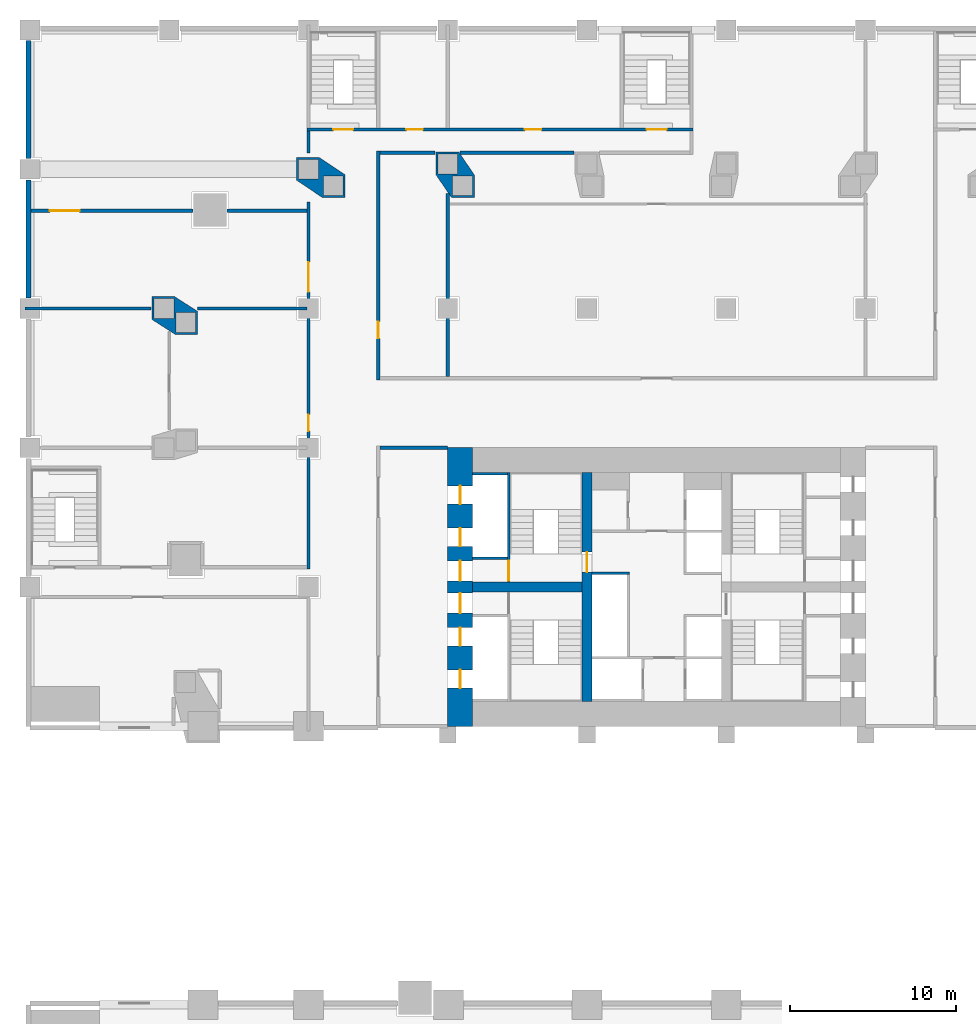
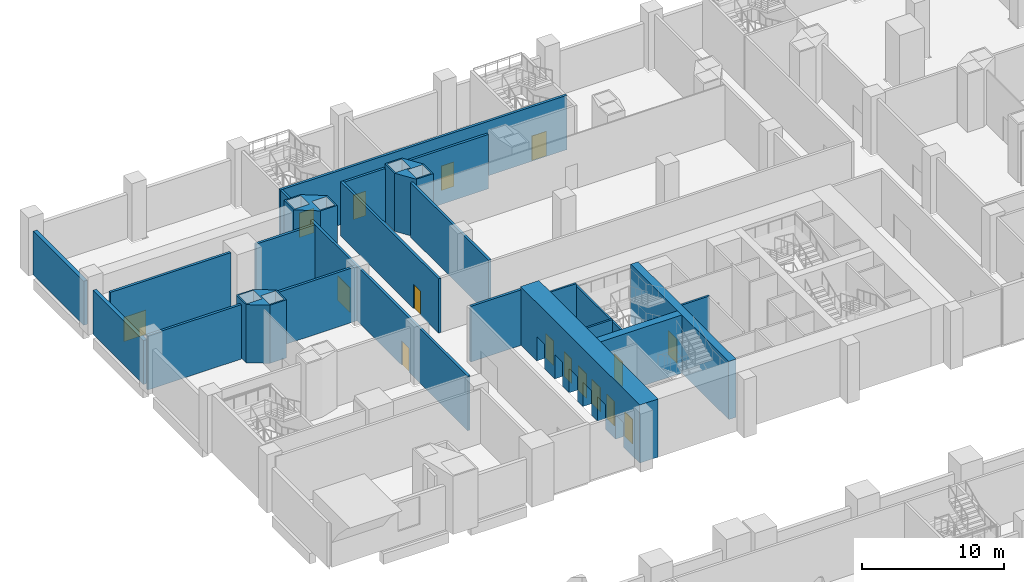
# One storey, part 6 of 16: 24 walls, 16 doors, 16 openings.
"""IFC4 building model written with IfcOpenShell, lengths in metres."""

from ifc_helpers import new_model, si_unit, direction, frame, frame_2d, origin, place, context, subcontext, project, spatial, polyline, rectangle, outline, extrude, material, layer, layer_set, type_object, element, fill, save


model = new_model("IFC4")

# Units and contexts
model_context = context("Model", 3, precision=1e-05, world=origin(), true_north=direction((0.0, 1.0)))
body_context = subcontext(model_context, "Body", "Model", "MODEL_VIEW")
ifc_project = project(units=[si_unit("LENGTHUNIT", "METRE"), si_unit("AREAUNIT", "SQUARE_METRE"), si_unit("VOLUMEUNIT", "CUBIC_METRE"), si_unit("PLANEANGLEUNIT", "RADIAN"), si_unit("MASSUNIT", "GRAM", prefix="KILO")], contexts=[model_context])

# Site, building, storey
site_placement = place(None, origin())
site = spatial("IfcSite", under=ifc_project, at=site_placement, CompositionType="ELEMENT")
building_placement = place(site_placement, origin())
building = spatial("IfcBuilding", under=site, at=building_placement, Name="Marenta Gate Hotel Tower", CompositionType="ELEMENT")
storey_placement = place(building_placement, frame((0.0, 0.0, 21.0)))
storey = spatial("IfcBuildingStorey", under=building, at=storey_placement, Name="L03", CompositionType="ELEMENT", Elevation=21.0)

# Walls
ifc_material_1 = material(Name="Concrete C40 board-marked", Category="concrete")
ifc_layer_1 = layer(ifc_material_1, 0.300048828125)
ifc_layer_set_1 = layer_set([ifc_layer_1], Name="Concrete C40 board-marked")
wall_type_1 = type_object("IfcWallType", Name="Board-marked concrete wall 300 mm", PredefinedType="NOTDEFINED", material=ifc_layer_set_1)
wall_1_placement = place(storey_placement, frame((-37.889892578125, 41.360107421875, 0.0), z_axis=(0.0, 0.0, 1.0), x_axis=(0.0, -1.0, 0.0)))
element("IfcWall", 1, at=wall_1_placement, inside=storey, type_object=wall_type_1, Name="L03-CLD-NB-W000", PredefinedType="NOTDEFINED", context=body_context, shape_type="SweptSolid", body=[
    extrude(rectangle(XDim=7.1201171875, YDim=0.300048828125, at=frame_2d((3.56005859375, 0.0))), origin(), (0.0, 0.0, 1.0), 3.780029296875),
])
wall_2_placement = place(storey_placement, frame((-37.889892578125, 32.9599609375, 0.0), z_axis=(0.0, 0.0, 1.0), x_axis=(0.0, -1.0, 0.0)))
element("IfcWall", 2, at=wall_2_placement, inside=storey, type_object=wall_type_1, Name="L03-CLD-NB-W001", PredefinedType="NOTDEFINED", context=body_context, shape_type="SweptSolid", body=[
    extrude(rectangle(XDim=7.119873046875, YDim=0.300048828125, at=frame_2d((3.56005859375, 0.0))), origin(), (0.0, 0.0, 1.0), 3.780029296875),
])
ifc_material_2 = material(Name="Concrete blockwork", Category="masonry")
ifc_layer_2 = layer(ifc_material_2, 0.199951171875)
ifc_layer_set_2 = layer_set([ifc_layer_2], Name="Concrete blockwork")
wall_type_2 = type_object("IfcWallType", Name="Core boundary wall 200 REI 180", PredefinedType="PARTITIONING", material=ifc_layer_set_2)
wall_3_placement = place(storey_placement, frame((-16.699951171875, 16.800048828125, 0.0), z_axis=(0.0, 0.0, 1.0), x_axis=(1.0, 0.0, 0.0)))
element("IfcWall", 3, at=wall_3_placement, inside=storey, type_object=wall_type_2, Name="L03-CP-EW-WN", PredefinedType="PARTITIONING", context=body_context, shape_type="SweptSolid", body=[
    extrude(rectangle(XDim=4.099853515625, YDim=0.199951171875, at=frame_2d((2.0498046875, 0.0))), origin(), (0.0, 0.0, 1.0), 4.780029296875),
])
ifc_material_3 = material(Name="Concrete C40", Category="concrete")
ifc_layer_3 = layer(ifc_material_3, 0.14990234375)
ifc_layer_set_3 = layer_set([ifc_layer_3], Name="Concrete C40")
wall_type_3 = type_object("IfcWallType", Name="Core shaft wall 150 REI 180", PredefinedType="SHEAR", material=ifc_layer_set_3)
for number, where, z_axis, x_axis, name in (
    (4, (-11.10009765625, 10.125, 0.0), (0.0, 0.0, 1.0), (1.0, 0.0, 0.0), "L03-SHF-SW-WN-2"),
    (5, (-11.10009765625, 15.22509765625, 0.0), (0.0, 0.0, 1.0), (1.0, 0.0, 0.0), "L03-SHF-SW-WN-5"),
):
    element("IfcWall", number, at=place(storey_placement, frame(where, z_axis=z_axis, x_axis=x_axis)), inside=storey, type_object=wall_type_3, Name=name, PredefinedType="SHEAR", context=body_context, shape_type="SweptSolid", body=[
        extrude(rectangle(XDim=2.10009765625, YDim=0.14990234375, at=frame_2d((1.050048828125, 0.0))), origin(), (0.0, 0.0, 1.0), 5.0),
    ])
wall_4_placement = place(storey_placement, frame((-3.89990234375, 9.22509765625, 0.0), z_axis=(0.0, 0.0, 1.0), x_axis=(1.0, 0.0, 0.0)))
element("IfcWall", 6, at=wall_4_placement, inside=storey, type_object=wall_type_3, Name="L03-SHF-CW-W-sep", PredefinedType="SHEAR", context=body_context, shape_type="SweptSolid", body=[
    extrude(rectangle(XDim=2.25, YDim=0.14990234375, at=frame_2d((1.125, 0.0))), origin(), (0.0, 0.0, 1.0), 5.0),
])

# Wall, opening, door
ifc_material_4 = material(Name="Concrete C40", Category="concrete")
ifc_layer_4 = layer(ifc_material_4, 0.14990234375)
ifc_layer_set_4 = layer_set([ifc_layer_4], Name="Concrete C40")
wall_type_4 = type_object("IfcWallType", Name="Core stair enclosure wall 150 REI 180", PredefinedType="SHEAR", material=ifc_layer_set_4)
wall_5_placement = place(storey_placement, frame((-8.925048828125, 8.699951171875, 0.0), z_axis=(0.0, 0.0, 1.0), x_axis=(0.0, 1.0, 0.0)))
wall_5 = element("IfcWall", 7, at=wall_5_placement, inside=storey, type_object=wall_type_4, Name="L03-SHF-SW-WN-3", PredefinedType="SHEAR", context=body_context, shape_type="SweptSolid", body=[
    extrude(rectangle(XDim=6.60009765625, YDim=0.14990234375, at=frame_2d((3.300048828125, 0.0))), origin(), (0.0, 0.0, 1.0), 4.780029296875),
])
opening_1_placement = place(wall_5_placement, frame((0.074951171875, 0.0, 0.0)))
opening_1 = element("IfcOpeningElement", 8, at=opening_1_placement, cuts=wall_5, Name="Opening SD-WN", PredefinedType="OPENING", context=body_context, shape_type="SweptSolid", body=[
    extrude(rectangle(XDim=1.199951171875, YDim=2.10009765625, at=frame_2d((0.60009765625, 1.050048828125))), frame((0.0, 0.074951171875, 0.0), z_axis=(0.0, -1.0, 0.0), x_axis=(1.0, 0.0, 0.0)), (0.0, 0.0, 1.0), 0.14990234375),
])
ifc_material_5 = material(Name="Steel", Category="steel")
door_type_1 = type_object("IfcDoorType", Name="Core stair door 1200x2100 FD60", OperationType="SINGLE_SWING_LEFT", PredefinedType="DOOR", material=ifc_material_5)
door_1_placement = place(opening_1_placement, origin())
door_1 = element("IfcDoor", 9, at=door_1_placement, inside=storey, type_object=door_type_1, Name="SD-WN", OperationType="SINGLE_SWING_LEFT", OverallHeight=2.10009765625, OverallWidth=1.199951171875, PredefinedType="DOOR", context=body_context, shape_type="SweptSolid", body=[
    extrude(rectangle(XDim=1.199951171875, YDim=2.10009765625, at=frame_2d((0.60009765625, 1.050048828125))), frame((0.0, 0.02490234375, 0.0), z_axis=(0.0, -1.0, 0.0), x_axis=(1.0, 0.0, 0.0)), (0.0, 0.0, 1.0), 0.050048828125),
])
fill(opening_1, door_1)

# Wall, openings, doors
ifc_material_6 = material(Name="Concrete C80", Category="concrete")
ifc_layer_5 = layer(ifc_material_6, 1.5)
ifc_layer_set_5 = layer_set([ifc_layer_5], Name="Concrete C80")
wall_type_5 = type_object("IfcWallType", Name="Core wall 1500 C80", PredefinedType="SHEAR", material=ifc_layer_set_5)
wall_6_placement = place(storey_placement, frame((-11.85009765625, 0.0, 0.0), z_axis=(0.0, 0.0, 1.0), x_axis=(0.0, 1.0, 0.0)))
wall_6 = element("IfcWall", 10, at=wall_6_placement, inside=storey, type_object=wall_type_5, Name="L03-CORE-W", PredefinedType="SHEAR", context=body_context, shape_type="SweptSolid", body=[
    extrude(rectangle(XDim=16.800048828125, YDim=1.5, at=frame_2d((8.39990234375, 0.0))), origin(), (0.0, 0.0, 1.0), 5.0),
])
opening_2_placement = place(wall_6_placement, frame((2.300048828125, 0.0, 0.0)))
opening_2 = element("IfcOpeningElement", 11, at=opening_2_placement, cuts=wall_6, Name="Opening LD-LR1", PredefinedType="OPENING", context=body_context, shape_type="SweptSolid", body=[
    extrude(rectangle(XDim=1.10009765625, YDim=2.10009765625, at=frame_2d((0.550048828125, 1.050048828125))), frame((0.0, 0.75, 0.0), z_axis=(0.0, -1.0, 0.0), x_axis=(1.0, 0.0, 0.0)), (0.0, 0.0, 1.0), 1.5),
])
opening_3_placement = place(wall_6_placement, frame((4.85009765625, 0.0, 0.0)))
opening_3 = element("IfcOpeningElement", 12, at=opening_3_placement, cuts=wall_6, Name="Opening LD-LR2", PredefinedType="OPENING", context=body_context, shape_type="SweptSolid", body=[
    extrude(rectangle(XDim=1.10009765625, YDim=2.10009765625, at=frame_2d((0.550048828125, 1.050048828125))), frame((0.0, 0.75, 0.0), z_axis=(0.0, -1.0, 0.0), x_axis=(1.0, 0.0, 0.0)), (0.0, 0.0, 1.0), 1.5),
])
opening_4_placement = place(wall_6_placement, frame((6.824951171875, 0.0, 0.0)))
opening_4 = element("IfcOpeningElement", 13, at=opening_4_placement, cuts=wall_6, Name="Opening PD-WS", PredefinedType="OPENING", context=body_context, shape_type="SweptSolid", body=[
    extrude(rectangle(XDim=1.199951171875, YDim=2.10009765625, at=frame_2d((0.60009765625, 1.050048828125))), frame((0.0, 0.75, 0.0), z_axis=(0.0, -1.0, 0.0), x_axis=(1.0, 0.0, 0.0)), (0.0, 0.0, 1.0), 1.5),
])
opening_5_placement = place(wall_6_placement, frame((13.39990234375, 0.0, 0.0)))
opening_5 = element("IfcOpeningElement", 14, at=opening_5_placement, cuts=wall_6, Name="Opening LD-LR4", PredefinedType="OPENING", context=body_context, shape_type="SweptSolid", body=[
    extrude(rectangle(XDim=1.10009765625, YDim=2.10009765625, at=frame_2d((0.550048828125, 1.050048828125))), frame((0.0, 0.75, 0.0), z_axis=(0.0, -1.0, 0.0), x_axis=(1.0, 0.0, 0.0)), (0.0, 0.0, 1.0), 1.5),
])
opening_6_placement = place(wall_6_placement, frame((10.85009765625, 0.0, 0.0)))
opening_6 = element("IfcOpeningElement", 15, at=opening_6_placement, cuts=wall_6, Name="Opening LD-LR3", PredefinedType="OPENING", context=body_context, shape_type="SweptSolid", body=[
    extrude(rectangle(XDim=1.10009765625, YDim=2.10009765625, at=frame_2d((0.550048828125, 1.050048828125))), frame((0.0, 0.75, 0.0), z_axis=(0.0, -1.0, 0.0), x_axis=(1.0, 0.0, 0.0)), (0.0, 0.0, 1.0), 1.5),
])
opening_7_placement = place(wall_6_placement, frame((8.77490234375, 0.0, 0.0)))
opening_7 = element("IfcOpeningElement", 16, at=opening_7_placement, cuts=wall_6, Name="Opening PD-WN", PredefinedType="OPENING", context=body_context, shape_type="SweptSolid", body=[
    extrude(rectangle(XDim=1.199951171875, YDim=2.10009765625, at=frame_2d((0.60009765625, 1.050048828125))), frame((0.0, 0.75, 0.0), z_axis=(0.0, -1.0, 0.0), x_axis=(1.0, 0.0, 0.0)), (0.0, 0.0, 1.0), 1.5),
])
ifc_material_7 = material(Name="Steel", Category="steel")
door_type_2 = type_object("IfcDoorType", Name="Core lift landing door 1100x2100 E 60", OperationType="SLIDING_TO_LEFT", PredefinedType="DOOR", material=ifc_material_7)
door_2_placement = place(opening_2_placement, origin())
door_2 = element("IfcDoor", 17, at=door_2_placement, inside=storey, type_object=door_type_2, Name="LD-LR1", OperationType="SLIDING_TO_LEFT", OverallHeight=2.10009765625, OverallWidth=1.10009765625, PredefinedType="DOOR", context=body_context, shape_type="SweptSolid", body=[
    extrude(rectangle(XDim=1.10009765625, YDim=2.10009765625, at=frame_2d((0.550048828125, 1.050048828125))), frame((0.0, 0.02490234375, 0.0), z_axis=(0.0, -1.0, 0.0), x_axis=(1.0, 0.0, 0.0)), (0.0, 0.0, 1.0), 0.050048828125),
])
fill(opening_2, door_2)
door_3_placement = place(opening_3_placement, origin())
door_3 = element("IfcDoor", 18, at=door_3_placement, inside=storey, type_object=door_type_2, Name="LD-LR2", OperationType="SLIDING_TO_LEFT", OverallHeight=2.10009765625, OverallWidth=1.10009765625, PredefinedType="DOOR", context=body_context, shape_type="SweptSolid", body=[
    extrude(rectangle(XDim=1.10009765625, YDim=2.10009765625, at=frame_2d((0.550048828125, 1.050048828125))), frame((0.0, 0.02490234375, 0.0), z_axis=(0.0, -1.0, 0.0), x_axis=(1.0, 0.0, 0.0)), (0.0, 0.0, 1.0), 0.050048828125),
])
fill(opening_3, door_3)
door_4_placement = place(opening_5_placement, origin())
door_4 = element("IfcDoor", 19, at=door_4_placement, inside=storey, type_object=door_type_2, Name="LD-LR4", OperationType="SLIDING_TO_LEFT", OverallHeight=2.10009765625, OverallWidth=1.10009765625, PredefinedType="DOOR", context=body_context, shape_type="SweptSolid", body=[
    extrude(rectangle(XDim=1.10009765625, YDim=2.10009765625, at=frame_2d((0.550048828125, 1.050048828125))), frame((0.0, 0.02490234375, 0.0), z_axis=(0.0, -1.0, 0.0), x_axis=(1.0, 0.0, 0.0)), (0.0, 0.0, 1.0), 0.050048828125),
])
fill(opening_5, door_4)
door_5_placement = place(opening_6_placement, origin())
door_5 = element("IfcDoor", 20, at=door_5_placement, inside=storey, type_object=door_type_2, Name="LD-LR3", OperationType="SLIDING_TO_LEFT", OverallHeight=2.10009765625, OverallWidth=1.10009765625, PredefinedType="DOOR", context=body_context, shape_type="SweptSolid", body=[
    extrude(rectangle(XDim=1.10009765625, YDim=2.10009765625, at=frame_2d((0.550048828125, 1.050048828125))), frame((0.0, 0.02490234375, 0.0), z_axis=(0.0, -1.0, 0.0), x_axis=(1.0, 0.0, 0.0)), (0.0, 0.0, 1.0), 0.050048828125),
])
fill(opening_6, door_5)
ifc_material_8 = material(Name="Steel", Category="steel")
door_type_3 = type_object("IfcDoorType", Name="Core lobby door 1200x2100 FD60", OperationType="SINGLE_SWING_LEFT", PredefinedType="DOOR", material=ifc_material_8)
door_6_placement = place(opening_4_placement, origin())
door_6 = element("IfcDoor", 21, at=door_6_placement, inside=storey, type_object=door_type_3, Name="PD-WS", OperationType="SINGLE_SWING_LEFT", OverallHeight=2.10009765625, OverallWidth=1.199951171875, PredefinedType="DOOR", context=body_context, shape_type="SweptSolid", body=[
    extrude(rectangle(XDim=1.199951171875, YDim=2.10009765625, at=frame_2d((0.60009765625, 1.050048828125))), frame((0.0, 0.02490234375, 0.0), z_axis=(0.0, -1.0, 0.0), x_axis=(1.0, 0.0, 0.0)), (0.0, 0.0, 1.0), 0.050048828125),
])
fill(opening_4, door_6)
door_7_placement = place(opening_7_placement, origin())
door_7 = element("IfcDoor", 22, at=door_7_placement, inside=storey, type_object=door_type_3, Name="PD-WN", OperationType="SINGLE_SWING_LEFT", OverallHeight=2.10009765625, OverallWidth=1.199951171875, PredefinedType="DOOR", context=body_context, shape_type="SweptSolid", body=[
    extrude(rectangle(XDim=1.199951171875, YDim=2.10009765625, at=frame_2d((0.60009765625, 1.050048828125))), frame((0.0, 0.02490234375, 0.0), z_axis=(0.0, -1.0, 0.0), x_axis=(1.0, 0.0, 0.0)), (0.0, 0.0, 1.0), 0.050048828125),
])
fill(opening_7, door_7)

# Wall, opening, door
ifc_material_9 = material(Name="Concrete C80", Category="concrete")
ifc_layer_6 = layer(ifc_material_9, 0.60009765625)
ifc_layer_set_6 = layer_set([ifc_layer_6], Name="Concrete C80")
wall_type_6 = type_object("IfcWallType", Name="Core web 600 C80", PredefinedType="SHEAR", material=ifc_layer_set_6)
wall_7_placement = place(storey_placement, frame((-4.199951171875, 1.5, 0.0), z_axis=(0.0, 0.0, 1.0), x_axis=(0.0, 1.0, 0.0)))
wall_7 = element("IfcWall", 23, at=wall_7_placement, inside=storey, type_object=wall_type_6, Name="L03-CORE-W1", PredefinedType="SHEAR", context=body_context, shape_type="SweptSolid", body=[
    extrude(rectangle(XDim=13.800048828125, YDim=0.60009765625, at=frame_2d((6.89990234375, 0.0))), origin(), (0.0, 0.0, 1.0), 5.0),
])
opening_8_placement = place(wall_7_placement, frame((7.800048828125, 0.0, 0.0)))
opening_8 = element("IfcOpeningElement", 24, at=opening_8_placement, cuts=wall_7, Name="Opening WD-W", PredefinedType="OPENING", context=body_context, shape_type="SweptSolid", body=[
    extrude(rectangle(XDim=1.199951171875, YDim=2.10009765625, at=frame_2d((0.60009765625, 1.050048828125))), frame((0.0, 0.300048828125, 0.0), z_axis=(0.0, -1.0, 0.0), x_axis=(1.0, 0.0, 0.0)), (0.0, 0.0, 1.0), 0.60009765625),
])
door_8_placement = place(opening_8_placement, origin())
door_8 = element("IfcDoor", 25, at=door_8_placement, inside=storey, type_object=door_type_1, Name="WD-W", OperationType="SINGLE_SWING_LEFT", OverallHeight=2.10009765625, OverallWidth=1.199951171875, PredefinedType="DOOR", context=body_context, shape_type="SweptSolid", body=[
    extrude(rectangle(XDim=1.199951171875, YDim=2.10009765625, at=frame_2d((0.60009765625, 1.050048828125))), frame((0.0, 0.02490234375, 0.0), z_axis=(0.0, -1.0, 0.0), x_axis=(1.0, 0.0, 0.0)), (0.0, 0.0, 1.0), 0.050048828125),
])
fill(opening_8, door_8)

# Walls
wall_8_placement = place(storey_placement, frame((-11.10009765625, 8.39990234375, 0.0), z_axis=(0.0, 0.0, 1.0), x_axis=(1.0, 0.0, 0.0)))
element("IfcWall", 26, at=wall_8_placement, inside=storey, type_object=wall_type_6, Name="L03-CORE-W3", PredefinedType="SHEAR", context=body_context, shape_type="SweptSolid", body=[
    extrude(rectangle(XDim=6.60009765625, YDim=0.60009765625, at=frame_2d((3.300048828125, 0.0))), origin(), (0.0, 0.0, 1.0), 5.0),
])
ifc_material_10 = material(Name="Concrete C70", Category="concrete")
ifc_layer_7 = layer(ifc_material_10, 1.60009765625)
ifc_layer_set_7 = layer_set([ifc_layer_7], Name="Concrete C70")
wall_type_7 = type_object("IfcWallType", Name="Pier wall board-marked concrete C70", PredefinedType="SOLIDWALL", material=ifc_layer_set_7)
wall_9_placement = place(storey_placement, origin())
element("IfcWall", 27, at=wall_9_placement, inside=storey, type_object=wall_type_7, Name="L03-PIER-3", PredefinedType="SOLIDWALL", context=body_context, shape_type="SweptSolid", body=[
    extrude(outline(polyline([(-30.43994140625, 24.5341796875), (-30.43994140625, 25.919921875), (-29.0849609375, 25.919921875), (-27.679931640625, 25.022216796875), (-27.679931640625, 23.636474609375), (-29.03515625, 23.636474609375), (-30.43994140625, 24.5341796875)]), holes=[polyline([(-29.0, 23.75634765625), (-27.800048828125, 23.75634765625), (-27.800048828125, 24.956298828125), (-29.0, 24.956298828125), (-29.0, 23.75634765625)]), polyline([(-30.320068359375, 24.60009765625), (-29.1201171875, 24.60009765625), (-29.1201171875, 25.800048828125), (-30.320068359375, 25.800048828125), (-30.320068359375, 24.60009765625)])]), origin(), (0.0, 0.0, 1.0), 5.0),
])
wall_10_placement = place(storey_placement, origin())
element("IfcWall", 28, at=wall_10_placement, inside=storey, type_object=wall_type_7, Name="L03-PIER-4", PredefinedType="SOLIDWALL", context=body_context, shape_type="SweptSolid", body=[
    extrude(outline(polyline([(-21.719970703125, 34.320068359375), (-20.363525390625, 34.320068359375), (-18.786865234375, 33.26416015625), (-18.786865234375, 31.8798828125), (-20.143310546875, 31.8798828125), (-21.719970703125, 32.93603515625), (-21.719970703125, 34.320068359375)]), holes=[polyline([(-18.906982421875, 32.0), (-18.906982421875, 33.199951171875), (-20.10693359375, 33.199951171875), (-20.10693359375, 32.0), (-18.906982421875, 32.0)]), polyline([(-20.39990234375, 33.0), (-20.39990234375, 34.199951171875), (-21.60009765625, 34.199951171875), (-21.60009765625, 33.0), (-20.39990234375, 33.0)])]), origin(), (0.0, 0.0, 1.0), 5.0),
])
wall_11_placement = place(storey_placement, origin())
element("IfcWall", 29, at=wall_11_placement, inside=storey, type_object=wall_type_7, Name="L03-PIER-5", PredefinedType="SOLIDWALL", context=body_context, shape_type="SweptSolid", body=[
    extrude(outline(polyline([(-13.320068359375, 34.639892578125), (-11.9365234375, 34.639892578125), (-10.984130859375, 33.23681640625), (-10.984130859375, 31.8798828125), (-12.36767578125, 31.8798828125), (-13.320068359375, 33.283203125), (-13.320068359375, 34.639892578125)]), holes=[polyline([(-11.10400390625, 32.0), (-11.10400390625, 33.199951171875), (-12.30419921875, 33.199951171875), (-12.30419921875, 32.0), (-11.10400390625, 32.0)]), polyline([(-12.0, 33.320068359375), (-12.0, 34.52001953125), (-13.199951171875, 34.52001953125), (-13.199951171875, 33.320068359375), (-12.0, 33.320068359375)])]), origin(), (0.0, 0.0, 1.0), 5.0),
])

# Wall, opening, door
ifc_material_11 = material(Name="Gypsum board on steel stud", Category="steel")
ifc_layer_8 = layer(ifc_material_11, 0.199951171875)
ifc_layer_set_8 = layer_set([ifc_layer_8], Name="Gypsum board on steel stud")
wall_type_8 = type_object("IfcWallType", Name="Room corridor wall 200 EI 60", PredefinedType="PARTITIONING", material=ifc_layer_set_8)
wall_12_placement = place(storey_placement, frame((-16.800048828125, 20.89990234375, 0.0), z_axis=(0.0, 0.0, 1.0), x_axis=(0.0, 1.0, 0.0)))
wall_12 = element("IfcWall", 30, at=wall_12_placement, inside=storey, type_object=wall_type_8, Name="L03-PTN-W048", PredefinedType="PARTITIONING", context=body_context, shape_type="SweptSolid", body=[
    extrude(rectangle(XDim=13.800048828125, YDim=0.199951171875, at=frame_2d((6.89990234375, 0.0))), origin(), (0.0, 0.0, 1.0), 4.679931640625),
])
opening_9_placement = place(wall_12_placement, frame((2.5, 0.0, 0.0)))
opening_9 = element("IfcOpeningElement", 31, at=opening_9_placement, cuts=wall_12, Name="Opening S04-14", PredefinedType="OPENING", context=body_context, shape_type="SweptSolid", body=[
    extrude(rectangle(XDim=1.0, YDim=2.10009765625, at=frame_2d((0.5, 1.050048828125))), frame((0.0, 0.10009765625, 0.0), z_axis=(0.0, -1.0, 0.0), x_axis=(1.0, 0.0, 0.0)), (0.0, 0.0, 1.0), 0.199951171875),
])
ifc_material_12 = material(Name="Timber door leaf", Category="wood")
door_type_4 = type_object("IfcDoorType", Name="Room amenity door 1000x2100 EI 30", OperationType="NOTDEFINED", PredefinedType="DOOR", material=ifc_material_12)
door_9_placement = place(opening_9_placement, origin())
door_9 = element("IfcDoor", 32, at=door_9_placement, inside=storey, type_object=door_type_4, Name="L03-PD-D014", OperationType="SINGLE_SWING_LEFT", OverallHeight=2.10009765625, OverallWidth=1.0, PredefinedType="DOOR", context=body_context, shape_type="SweptSolid", body=[
    extrude(rectangle(XDim=1.0, YDim=2.10009765625, at=frame_2d((0.5, 1.050048828125))), frame((0.0, 0.02490234375, 0.0), z_axis=(0.0, -1.0, 0.0), x_axis=(1.0, 0.0, 0.0)), (0.0, 0.0, 1.0), 0.050048828125),
])
fill(opening_9, door_9)

# Wall, openings, doors
wall_13_placement = place(storey_placement, frame((-21.0, 9.5, 0.0), z_axis=(0.0, 0.0, 1.0), x_axis=(0.0, 1.0, 0.0)))
wall_13 = element("IfcWall", 33, at=wall_13_placement, inside=storey, type_object=wall_type_8, Name="L03-PTN-W055", PredefinedType="PARTITIONING", context=body_context, shape_type="SweptSolid", body=[
    extrude(rectangle(XDim=22.133056640625, YDim=0.199951171875, at=frame_2d((11.06640625, 0.0))), origin(), (0.0, 0.0, 1.0), 4.679931640625),
])
opening_10_placement = place(wall_13_placement, frame((8.300048828125, 0.0, 0.0)))
opening_10 = element("IfcOpeningElement", 34, at=opening_10_placement, cuts=wall_13, Name="Opening S04-05", PredefinedType="OPENING", context=body_context, shape_type="SweptSolid", body=[
    extrude(rectangle(XDim=1.0, YDim=2.10009765625, at=frame_2d((0.5, 1.050048828125))), frame((0.0, 0.10009765625, 0.0), z_axis=(0.0, -1.0, 0.0), x_axis=(1.0, 0.0, 0.0)), (0.0, 0.0, 1.0), 0.199951171875),
])
opening_11_placement = place(wall_13_placement, frame((16.699951171875, 0.0, 0.0)))
opening_11 = element("IfcOpeningElement", 35, at=opening_11_placement, cuts=wall_13, Name="Opening S04-07", PredefinedType="OPENING", context=body_context, shape_type="SweptSolid", body=[
    extrude(rectangle(XDim=1.800048828125, YDim=2.10009765625, at=frame_2d((0.89990234375, 1.050048828125))), frame((0.0, 0.10009765625, 0.0), z_axis=(0.0, -1.0, 0.0), x_axis=(1.0, 0.0, 0.0)), (0.0, 0.0, 1.0), 0.199951171875),
])
door_10_placement = place(opening_10_placement, origin())
door_10 = element("IfcDoor", 36, at=door_10_placement, inside=storey, type_object=door_type_4, Name="L03-PD-D005", OperationType="SINGLE_SWING_RIGHT", OverallHeight=2.10009765625, OverallWidth=1.0, PredefinedType="DOOR", context=body_context, shape_type="SweptSolid", body=[
    extrude(rectangle(XDim=1.0, YDim=2.10009765625, at=frame_2d((0.5, 1.050048828125))), frame((0.0, 0.02490234375, 0.0), z_axis=(0.0, -1.0, 0.0), x_axis=(1.0, 0.0, 0.0)), (0.0, 0.0, 1.0), 0.050048828125),
])
fill(opening_10, door_10)
ifc_material_13 = material(Name="Timber door leaf", Category="wood")
door_type_5 = type_object("IfcDoorType", Name="Room amenity door 1800x2100 EI 30", OperationType="DOUBLE_DOOR_SINGLE_SWING", PredefinedType="DOOR", material=ifc_material_13)
door_11_placement = place(opening_11_placement, origin())
door_11 = element("IfcDoor", 37, at=door_11_placement, inside=storey, type_object=door_type_5, Name="L03-PD-D007", OperationType="DOUBLE_DOOR_SINGLE_SWING", OverallHeight=2.10009765625, OverallWidth=1.800048828125, PredefinedType="DOOR", context=body_context, shape_type="SweptSolid", body=[
    extrude(rectangle(XDim=1.800048828125, YDim=2.10009765625, at=frame_2d((0.89990234375, 1.050048828125))), frame((0.0, 0.02490234375, 0.0), z_axis=(0.0, -1.0, 0.0), x_axis=(1.0, 0.0, 0.0)), (0.0, 0.0, 1.0), 0.050048828125),
])
fill(opening_11, door_11)

# Walls
wall_14_placement = place(storey_placement, frame((-21.0, 34.56689453125, 0.0), z_axis=(0.0, 0.0, 1.0), x_axis=(0.0, 1.0, 0.0)))
element("IfcWall", 38, at=wall_14_placement, inside=storey, type_object=wall_type_8, Name="L03-PTN-W056", PredefinedType="PARTITIONING", context=body_context, shape_type="SweptSolid", body=[
    extrude(rectangle(XDim=1.3330078125, YDim=0.199951171875, at=frame_2d((0.66650390625, 0.0))), origin(), (0.0, 0.0, 1.0), 4.679931640625),
])
ifc_material_14 = material(Name="Concrete blockwork", Category="masonry")
ifc_layer_9 = layer(ifc_material_14, 0.199951171875)
ifc_layer_set_9 = layer_set([ifc_layer_9], Name="Concrete blockwork")
wall_type_9 = type_object("IfcWallType", Name="Room corridor wall 200 REI 180", PredefinedType="PARTITIONING", material=ifc_layer_set_9)
wall_15_placement = place(storey_placement, frame((-16.699951171875, 34.60009765625, 0.0), z_axis=(0.0, 0.0, 1.0), x_axis=(1.0, 0.0, 0.0)))
element("IfcWall", 39, at=wall_15_placement, inside=storey, type_object=wall_type_9, Name="L03-PTN-W079", PredefinedType="PARTITIONING", context=body_context, shape_type="SweptSolid", body=[
    extrude(rectangle(XDim=3.329833984375, YDim=0.199951171875, at=frame_2d((1.6650390625, 0.0))), origin(), (0.0, 0.0, 1.0), 4.679931640625),
])
wall_16_placement = place(storey_placement, frame((-11.84912109375, 34.60009765625, 0.0), z_axis=(0.0, 0.0, 1.0), x_axis=(1.0, 0.0, 0.0)))
element("IfcWall", 40, at=wall_16_placement, inside=storey, type_object=wall_type_9, Name="L03-PTN-W080", PredefinedType="PARTITIONING", context=body_context, shape_type="SweptSolid", body=[
    extrude(rectangle(XDim=6.879150390625, YDim=0.199951171875, at=frame_2d((3.439453125, 0.0))), origin(), (0.0, 0.0, 1.0), 4.679931640625),
])

# Wall, openings, doors
wall_17_placement = place(storey_placement, frame((-21.10009765625, 36.0, 0.0), z_axis=(0.0, 0.0, 1.0), x_axis=(1.0, 0.0, 0.0)))
wall_17 = element("IfcWall", 41, at=wall_17_placement, inside=storey, type_object=wall_type_9, Name="L03-PTN-W082", PredefinedType="PARTITIONING", context=body_context, shape_type="SweptSolid", body=[
    extrude(rectangle(XDim=23.300048828125, YDim=0.199951171875, at=frame_2d((11.64990234375, 0.0))), origin(), (0.0, 0.0, 1.0), 4.679931640625),
])
opening_12_placement = place(wall_17_placement, frame((1.60009765625, 0.0, 0.0)))
opening_12 = element("IfcOpeningElement", 42, at=opening_12_placement, cuts=wall_17, Name="Opening S04-01", PredefinedType="OPENING", context=body_context, shape_type="SweptSolid", body=[
    extrude(rectangle(XDim=1.199951171875, YDim=2.10009765625, at=frame_2d((0.60009765625, 1.050048828125))), frame((0.0, 0.10009765625, 0.0), z_axis=(0.0, -1.0, 0.0), x_axis=(1.0, 0.0, 0.0)), (0.0, 0.0, 1.0), 0.199951171875),
])
opening_13_placement = place(wall_17_placement, frame((6.0, 0.0, 0.0)))
opening_13 = element("IfcOpeningElement", 43, at=opening_13_placement, cuts=wall_17, Name="Opening S04-15", PredefinedType="OPENING", context=body_context, shape_type="SweptSolid", body=[
    extrude(rectangle(XDim=1.0, YDim=2.10009765625, at=frame_2d((0.5, 1.050048828125))), frame((0.0, 0.10009765625, 0.0), z_axis=(0.0, -1.0, 0.0), x_axis=(1.0, 0.0, 0.0)), (0.0, 0.0, 1.0), 0.199951171875),
])
opening_14_placement = place(wall_17_placement, frame((13.14990234375, 0.0, 0.0)))
opening_14 = element("IfcOpeningElement", 44, at=opening_14_placement, cuts=wall_17, Name="Opening S04-17", PredefinedType="OPENING", context=body_context, shape_type="SweptSolid", body=[
    extrude(rectangle(XDim=1.0, YDim=2.10009765625, at=frame_2d((0.5, 1.050048828125))), frame((0.0, 0.10009765625, 0.0), z_axis=(0.0, -1.0, 0.0), x_axis=(1.0, 0.0, 0.0)), (0.0, 0.0, 1.0), 0.199951171875),
])
opening_15_placement = place(wall_17_placement, frame((20.5, 0.0, 0.0)))
opening_15 = element("IfcOpeningElement", 45, at=opening_15_placement, cuts=wall_17, Name="Opening S04-31", PredefinedType="OPENING", context=body_context, shape_type="SweptSolid", body=[
    extrude(rectangle(XDim=1.199951171875, YDim=2.10009765625, at=frame_2d((0.60009765625, 1.050048828125))), frame((0.0, 0.10009765625, 0.0), z_axis=(0.0, -1.0, 0.0), x_axis=(1.0, 0.0, 0.0)), (0.0, 0.0, 1.0), 0.199951171875),
])
ifc_material_15 = material(Name="Hollow steel door set", Category="steel")
door_type_6 = type_object("IfcDoorType", Name="Podium stair door 1200x2100 EI 60", OperationType="NOTDEFINED", PredefinedType="DOOR", material=ifc_material_15)
door_12_placement = place(opening_12_placement, origin())
door_12 = element("IfcDoor", 46, at=door_12_placement, inside=storey, type_object=door_type_6, Name="L03-PD-D001", OperationType="SINGLE_SWING_RIGHT", OverallHeight=2.10009765625, OverallWidth=1.199951171875, PredefinedType="DOOR", context=body_context, shape_type="SweptSolid", body=[
    extrude(rectangle(XDim=1.199951171875, YDim=2.10009765625, at=frame_2d((0.60009765625, 1.050048828125))), frame((0.0, 0.02490234375, 0.0), z_axis=(0.0, -1.0, 0.0), x_axis=(1.0, 0.0, 0.0)), (0.0, 0.0, 1.0), 0.050048828125),
])
fill(opening_12, door_12)
door_13_placement = place(opening_15_placement, origin())
door_13 = element("IfcDoor", 47, at=door_13_placement, inside=storey, type_object=door_type_6, Name="L03-PD-D031", OperationType="SINGLE_SWING_LEFT", OverallHeight=2.10009765625, OverallWidth=1.199951171875, PredefinedType="DOOR", context=body_context, shape_type="SweptSolid", body=[
    extrude(rectangle(XDim=1.199951171875, YDim=2.10009765625, at=frame_2d((0.60009765625, 1.050048828125))), frame((0.0, 0.02490234375, 0.0), z_axis=(0.0, -1.0, 0.0), x_axis=(1.0, 0.0, 0.0)), (0.0, 0.0, 1.0), 0.050048828125),
])
fill(opening_15, door_13)
ifc_material_16 = material(Name="Timber door leaf", Category="wood")
door_type_7 = type_object("IfcDoorType", Name="Room amenity door 1000x2100 EI 60", OperationType="NOTDEFINED", PredefinedType="DOOR", material=ifc_material_16)
door_14_placement = place(opening_13_placement, origin())
door_14 = element("IfcDoor", 48, at=door_14_placement, inside=storey, type_object=door_type_7, Name="L03-PD-D015", OperationType="SINGLE_SWING_LEFT", OverallHeight=2.10009765625, OverallWidth=1.0, PredefinedType="DOOR", context=body_context, shape_type="SweptSolid", body=[
    extrude(rectangle(XDim=1.0, YDim=2.10009765625, at=frame_2d((0.5, 1.050048828125))), frame((0.0, 0.02490234375, 0.0), z_axis=(0.0, -1.0, 0.0), x_axis=(1.0, 0.0, 0.0)), (0.0, 0.0, 1.0), 0.050048828125),
])
fill(opening_13, door_14)
ifc_material_17 = material(Name="Timber door leaf", Category="wood")
door_type_8 = type_object("IfcDoorType", Name="Room inner door 1000x2100 EI 60", OperationType="NOTDEFINED", PredefinedType="DOOR", material=ifc_material_17)
door_15_placement = place(opening_14_placement, origin())
door_15 = element("IfcDoor", 49, at=door_15_placement, inside=storey, type_object=door_type_8, Name="L03-PD-D017", OperationType="SINGLE_SWING_RIGHT", OverallHeight=2.10009765625, OverallWidth=1.0, PredefinedType="DOOR", context=body_context, shape_type="SweptSolid", body=[
    extrude(rectangle(XDim=1.0, YDim=2.10009765625, at=frame_2d((0.5, 1.050048828125))), frame((0.0, 0.02490234375, 0.0), z_axis=(0.0, -1.0, 0.0), x_axis=(1.0, 0.0, 0.0)), (0.0, 0.0, 1.0), 0.050048828125),
])
fill(opening_14, door_15)

# Walls
ifc_material_18 = material(Name="Concrete blockwork", Category="masonry")
ifc_layer_10 = layer(ifc_material_18, 0.199951171875)
ifc_layer_set_10 = layer_set([ifc_layer_10], Name="Concrete blockwork")
wall_type_10 = type_object("IfcWallType", Name="Room party wall 200 EI 120", PredefinedType="PARTITIONING", material=ifc_layer_set_10)
wall_18_placement = place(storey_placement, frame((-12.60009765625, 21.10009765625, 0.0), z_axis=(0.0, 0.0, 1.0), x_axis=(0.0, 1.0, 0.0)))
element("IfcWall", 50, at=wall_18_placement, inside=storey, type_object=wall_type_10, Name="L03-PTN-W042", PredefinedType="PARTITIONING", context=body_context, shape_type="SweptSolid", body=[
    extrude(rectangle(XDim=11.032958984375, YDim=0.199951171875, at=frame_2d((5.5166015625, 0.0))), origin(), (0.0, 0.0, 1.0), 4.679931640625),
])
ifc_material_19 = material(Name="Gypsum board on steel stud", Category="steel")
ifc_layer_11 = layer(ifc_material_19, 0.199951171875)
ifc_layer_set_11 = layer_set([ifc_layer_11], Name="Gypsum board on steel stud")
wall_type_11 = type_object("IfcWallType", Name="Room party wall 200 EI 60", PredefinedType="PARTITIONING", material=ifc_layer_set_11)
wall_19_placement = place(storey_placement, frame((-38.10009765625, 25.199951171875, 0.0), z_axis=(0.0, 0.0, 1.0), x_axis=(1.0, 0.0, 0.0)))
element("IfcWall", 51, at=wall_19_placement, inside=storey, type_object=wall_type_11, Name="L03-PTN-W061", PredefinedType="PARTITIONING", context=body_context, shape_type="SweptSolid", body=[
    extrude(rectangle(XDim=7.610107421875, YDim=0.199951171875, at=frame_2d((3.80517578125, 0.0))), origin(), (0.0, 0.0, 1.0), 4.679931640625),
])
wall_20_placement = place(storey_placement, frame((-27.679931640625, 25.199951171875, 0.0), z_axis=(0.0, 0.0, 1.0), x_axis=(1.0, 0.0, 0.0)))
element("IfcWall", 52, at=wall_20_placement, inside=storey, type_object=wall_type_11, Name="L03-PTN-W062", PredefinedType="PARTITIONING", context=body_context, shape_type="SweptSolid", body=[
    extrude(rectangle(XDim=6.579833984375, YDim=0.199951171875, at=frame_2d((3.2900390625, 0.0))), origin(), (0.0, 0.0, 1.0), 4.679931640625),
])

# Wall, opening, door
wall_21_placement = place(storey_placement, frame((-37.739990234375, 31.10009765625, 0.0), z_axis=(0.0, 0.0, 1.0), x_axis=(1.0, 0.0, 0.0)))
wall_21 = element("IfcWall", 53, at=wall_21_placement, inside=storey, type_object=wall_type_11, Name="L03-PTN-W071", PredefinedType="PARTITIONING", context=body_context, shape_type="SweptSolid", body=[
    extrude(rectangle(XDim=9.783935546875, YDim=0.199951171875, at=frame_2d((4.89208984375, 0.0))), origin(), (0.0, 0.0, 1.0), 4.679931640625),
])
opening_16_placement = place(wall_21_placement, frame((1.139892578125, 0.0, 0.0)))
opening_16 = element("IfcOpeningElement", 54, at=opening_16_placement, cuts=wall_21, Name="Opening S04-32", PredefinedType="OPENING", context=body_context, shape_type="SweptSolid", body=[
    extrude(rectangle(XDim=1.800048828125, YDim=2.10009765625, at=frame_2d((0.89990234375, 1.050048828125))), frame((0.0, 0.10009765625, 0.0), z_axis=(0.0, -1.0, 0.0), x_axis=(1.0, 0.0, 0.0)), (0.0, 0.0, 1.0), 0.199951171875),
])
door_16_placement = place(opening_16_placement, origin())
door_16 = element("IfcDoor", 55, at=door_16_placement, inside=storey, type_object=door_type_5, Name="L03-PD-D032", OperationType="DOUBLE_DOOR_SINGLE_SWING", OverallHeight=2.10009765625, OverallWidth=1.800048828125, PredefinedType="DOOR", context=body_context, shape_type="SweptSolid", body=[
    extrude(rectangle(XDim=1.800048828125, YDim=2.10009765625, at=frame_2d((0.89990234375, 1.050048828125))), frame((0.0, 0.02490234375, 0.0), z_axis=(0.0, -1.0, 0.0), x_axis=(1.0, 0.0, 0.0)), (0.0, 0.0, 1.0), 0.050048828125),
])
fill(opening_16, door_16)

# Wall
wall_22_placement = place(storey_placement, frame((-25.916015625, 31.10009765625, 0.0), z_axis=(0.0, 0.0, 1.0), x_axis=(1.0, 0.0, 0.0)))
element("IfcWall", 56, at=wall_22_placement, inside=storey, type_object=wall_type_11, Name="L03-PTN-W072", PredefinedType="PARTITIONING", context=body_context, shape_type="SweptSolid", body=[
    extrude(rectangle(XDim=4.81591796875, YDim=0.199951171875, at=frame_2d((2.407958984375, 0.0))), origin(), (0.0, 0.0, 1.0), 4.679931640625),
])

save(model, "model.ifc")
